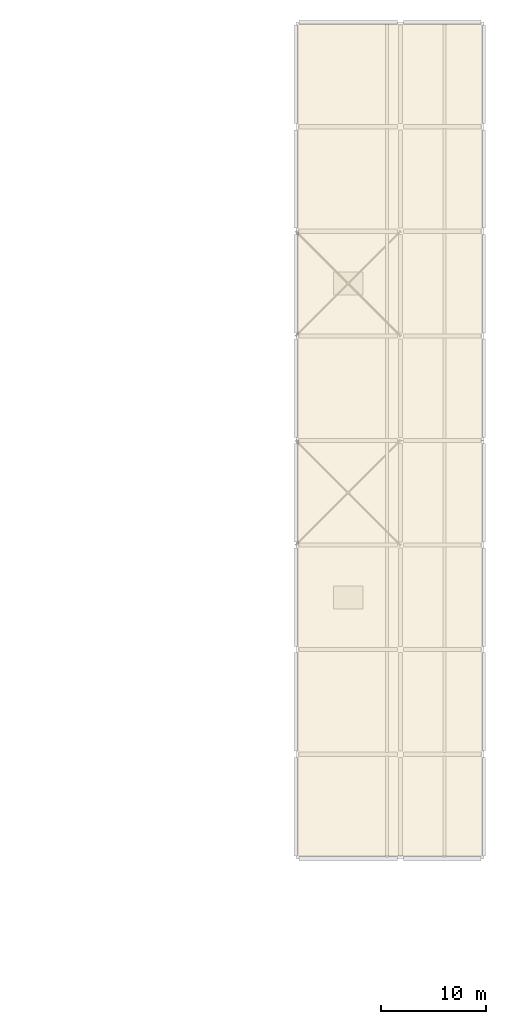
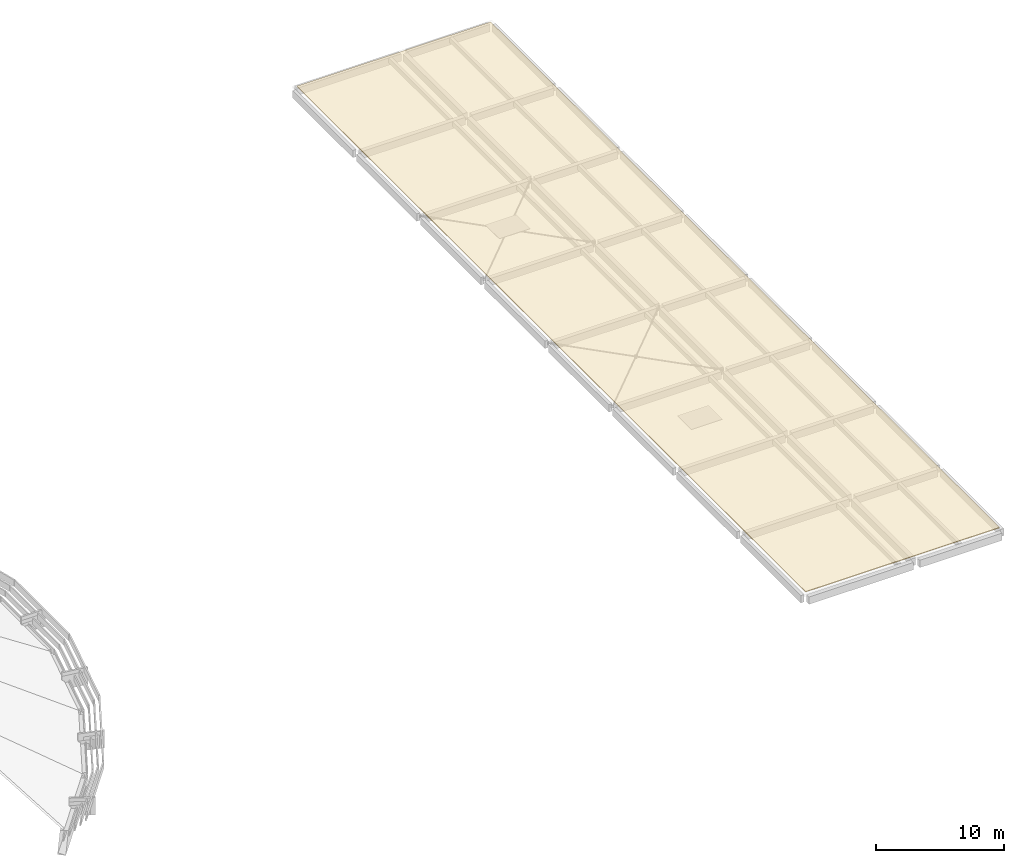
# One storey, part 15 of 15: 1 covering.
"""IFC4 building model written with IfcOpenShell, lengths in metres."""

from ifc_helpers import new_model, si_unit, direction, frame, origin, place, context, subcontext, project, spatial, polyline, outline, extrude, material, layer, layer_set, type_object, element, save


model = new_model("IFC4")

# Units and contexts
model_context = context("Model", 3, precision=1e-05, world=origin(), true_north=direction((0.0, 1.0)))
body_context = subcontext(model_context, "Body", "Model", "MODEL_VIEW")
ifc_project = project(units=[si_unit("LENGTHUNIT", "METRE"), si_unit("AREAUNIT", "SQUARE_METRE"), si_unit("VOLUMEUNIT", "CUBIC_METRE"), si_unit("PLANEANGLEUNIT", "RADIAN"), si_unit("MASSUNIT", "GRAM", prefix="KILO")], contexts=[model_context])

# Site, building, storey
site_placement = place(None, origin())
site = spatial("IfcSite", under=ifc_project, at=site_placement, CompositionType="ELEMENT")
building_placement = place(site_placement, origin())
building = spatial("IfcBuilding", under=site, at=building_placement, Name="Corvandel Quay Wholesale Market", CompositionType="ELEMENT")
storey_placement = place(building_placement, frame((0.0, 0.0, 19.199951171875)))
storey = spatial("IfcBuildingStorey", under=building, at=storey_placement, Name="RF", CompositionType="ELEMENT", Elevation=19.199951171875)

# Covering
ifc_material = material(Name="Weathering zinc-aluminium standing-seam membrane assembly", Category="aluminium")
ifc_layer = layer(ifc_material, 0.06494140625)
ifc_layer_set = layer_set([ifc_layer], Name="Weathering zinc-aluminium standing-seam membrane assembly")
covering_type = type_object("IfcCoveringType", Name="Standing-Seam Acoustic Membrane Roofing RFG01", PredefinedType="ROOFING", material=ifc_layer_set)
covering_placement = place(storey_placement, origin())
element("IfcCovering", 1, at=covering_placement, inside=storey, type_object=covering_type, Name="Roof Covering RFG-002", PredefinedType="ROOFING", context=body_context, shape_type="SweptSolid", body=[
    extrude(outline(polyline([(220.25, 10.25), (220.25, 89.75), (237.75, 89.75), (237.75, 10.25), (220.25, 10.25)])), origin(), (0.0, 0.0, 1.0), 0.06494140625),
])

save(model, "model.ifc")
